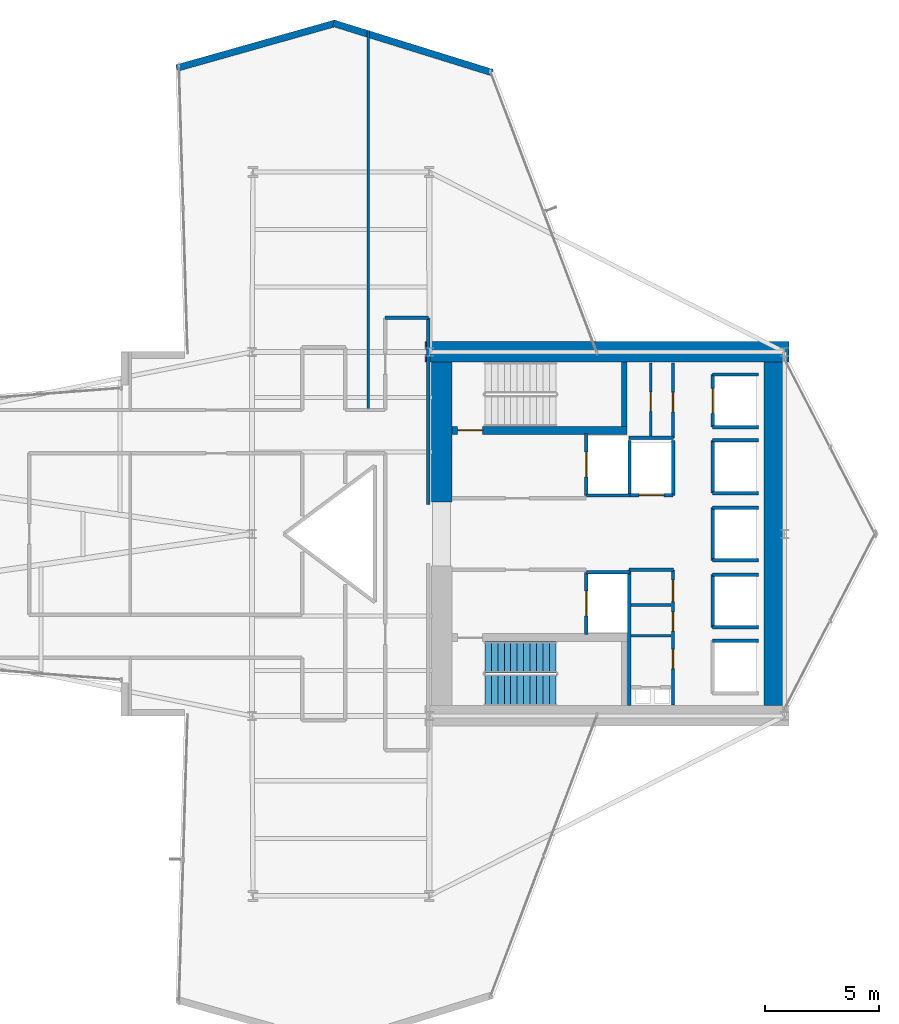
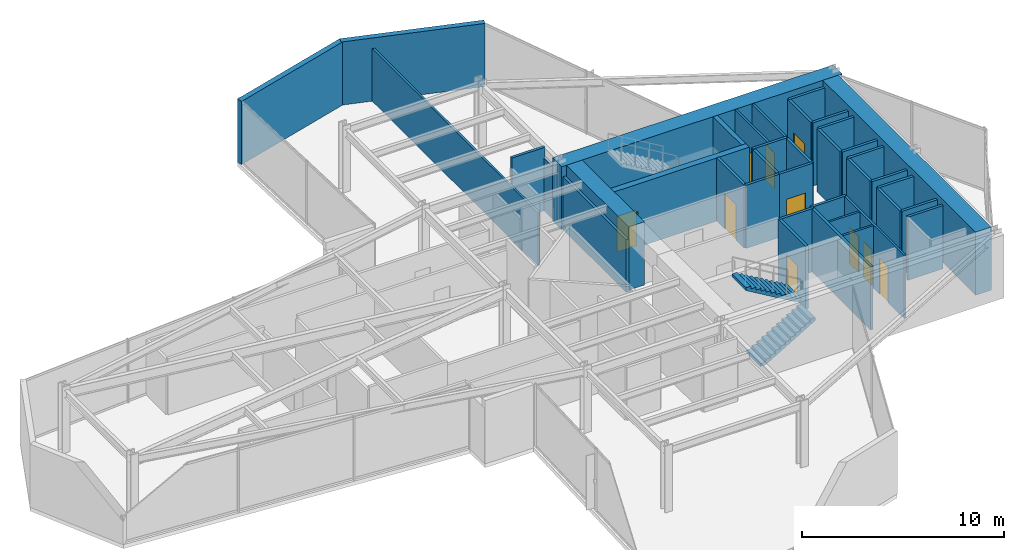
# One storey, part 27 of 29: 38 walls, 10 doors, 2 stair flights, 10 openings, 1 element without a shape of its own.
"""IFC4 building model written with IfcOpenShell, lengths in metres."""

from ifc_helpers import new_model, si_unit, direction, frame, frame_2d, origin, place, context, subcontext, project, spatial, polyline, rectangle, outline, extrude, material, layer, layer_set, type_object, element, fill, aggregate, save


model = new_model("IFC4")

# Units and contexts
model_context = context("Model", 3, precision=1e-05, world=origin(), true_north=direction((0.0, 1.0)))
body_context = subcontext(model_context, "Body", "Model", "MODEL_VIEW")
ifc_project = project(units=[si_unit("LENGTHUNIT", "METRE"), si_unit("AREAUNIT", "SQUARE_METRE"), si_unit("VOLUMEUNIT", "CUBIC_METRE"), si_unit("PLANEANGLEUNIT", "RADIAN"), si_unit("MASSUNIT", "GRAM", prefix="KILO")], contexts=[model_context])

# Site, building, storey
site_placement = place(None, origin())
site = spatial("IfcSite", under=ifc_project, at=site_placement, CompositionType="ELEMENT")
building_placement = place(site_placement, origin())
building = spatial("IfcBuilding", under=site, at=building_placement, Name="Veymaron Broadcast Tower", CompositionType="ELEMENT")
storey_placement = place(building_placement, frame((0.0, 0.0, 41.85009765625)))
storey = spatial("IfcBuildingStorey", under=building, at=storey_placement, Name="L08", CompositionType="ELEMENT", Elevation=41.85009765625)

# Walls
ifc_material_1 = material(Name="Precast concrete C40/50 with mineral-wool insulation", Category="concrete")
ifc_layer_1 = layer(ifc_material_1, 0.300048828125)
ifc_layer_set_1 = layer_set([ifc_layer_1], Name="Precast concrete C40/50 with mineral-wool insulation")
wall_type_1 = type_object("IfcWallType", Name="WALL-EXT-300", PredefinedType="STANDARD", material=ifc_layer_set_1)
wall_1_placement = place(storey_placement, frame((41.753173828125, 44.2802734375, 0.0), z_axis=(0.0, 0.0, 1.0), x_axis=(-0.954957033511, 0.296744105498, 0.0)))
element("IfcWall", 1, at=wall_1_placement, inside=storey, type_object=wall_type_1, Name="L08 notched corner facade pier 6-1", PredefinedType="STANDARD", context=body_context, shape_type="SweptSolid", body=[
    extrude(rectangle(XDim=7.302490234375, YDim=0.300048828125, at=frame_2d((3.6513671875, 0.0))), origin(), (0.0, 0.0, 1.0), 3.809814453125),
])
wall_2_placement = place(storey_placement, frame((34.859130859375, 46.4462890625, 0.0), z_axis=(0.0, 0.0, 1.0), x_axis=(-0.962339681863, -0.271849842212, 0.0)))
element("IfcWall", 2, at=wall_2_placement, inside=storey, type_object=wall_type_1, Name="L08 notched corner facade pier 7-1", PredefinedType="STANDARD", context=body_context, shape_type="SweptSolid", body=[
    extrude(rectangle(XDim=7.24658203125, YDim=0.300048828125, at=frame_2d((3.623291015625, 0.0))), origin(), (0.0, 0.0, 1.0), 3.809814453125),
])

# Wall, opening, door
ifc_material_2 = material(Name="Gypsum fireboard and steel stud framing", Category="steel")
ifc_layer_2 = layer(ifc_material_2, 0.14990234375)
ifc_layer_set_2 = layer_set([ifc_layer_2], Name="Gypsum fireboard and steel stud framing")
wall_type_2 = type_object("IfcWallType", Name="WALL-FIRE-150", PredefinedType="PARTITIONING", material=ifc_layer_set_2)
wall_3_placement = place(storey_placement, frame((45.89501953125, 25.68994140625, 0.0), z_axis=(0.0, 0.0, 1.0), x_axis=(0.0, 1.0, 0.0)))
wall_3 = element("IfcWall", 3, at=wall_3_placement, inside=storey, type_object=wall_type_2, Name="L08 partition IW-L08-SHW-FFL-1", PredefinedType="PARTITIONING", context=body_context, shape_type="SweptSolid", body=[
    extrude(rectangle(XDim=2.719970703125, YDim=0.14990234375, at=frame_2d((1.35986328125, 0.0))), origin(), (0.0, 0.0, 1.0), 3.809814453125),
])
opening_1_placement = place(wall_3_placement, frame((0.81005859375, 0.0, 0.0)))
opening_1 = element("IfcOpeningElement", 4, at=opening_1_placement, cuts=wall_3, Name="Opening LD", PredefinedType="OPENING", context=body_context, shape_type="SweptSolid", body=[
    extrude(rectangle(XDim=1.10009765625, YDim=2.14990234375, at=frame_2d((0.550048828125, 1.074951171875))), frame((0.0, 0.0849609375, 0.0), z_axis=(0.0, -1.0, 0.0), x_axis=(1.0, 0.0, 0.0)), (0.0, 0.0, 1.0), 0.169921875),
])
ifc_material_3 = material(Name="Brushed stainless steel AISI 304", Category="steel")
door_type_1 = type_object("IfcDoorType", Name="DOOR-LIFT-1100", OperationType="DOUBLE_DOOR_SLIDING", PredefinedType="DOOR", material=ifc_material_3)
door_1_placement = place(opening_1_placement, frame((1.10009765625, 0.0, 0.0), z_axis=(0.0, 0.0, 1.0), x_axis=(-1.0, 0.0, 0.0)))
door_1 = element("IfcDoor", 5, at=door_1_placement, inside=storey, type_object=door_type_1, Name="L08 door LD-L08-FFL-1", OperationType="DOUBLE_DOOR_SLIDING", OverallHeight=2.14990234375, OverallWidth=1.10009765625, PredefinedType="DOOR", context=body_context, shape_type="SweptSolid", body=[
    extrude(rectangle(XDim=1.10009765625, YDim=2.14990234375, at=frame_2d((0.550048828125, 1.074951171875))), frame((0.0, 0.02490234375, 0.0), z_axis=(0.0, -1.0, 0.0), x_axis=(1.0, 0.0, 0.0)), (0.0, 0.0, 1.0), 0.050048828125),
])
fill(opening_1, door_1)

# Wall
wall_4_placement = place(storey_placement, frame((45.89501953125, 25.68994140625, 0.0), z_axis=(0.0, 0.0, 1.0), x_axis=(1.0, 0.0, 0.0)))
element("IfcWall", 6, at=wall_4_placement, inside=storey, type_object=wall_type_2, Name="L08 partition IW-L08-SHS-FFL-1", PredefinedType="PARTITIONING", context=body_context, shape_type="SweptSolid", body=[
    extrude(rectangle(XDim=1.9150390625, YDim=0.14990234375, at=frame_2d((0.95751953125, 0.0))), origin(), (0.0, 0.0, 1.0), 3.809814453125),
])

# Wall, opening, door
wall_5_placement = place(storey_placement, frame((45.89501953125, 19.590087890625, 0.0), z_axis=(0.0, 0.0, 1.0), x_axis=(0.0, 1.0, 0.0)))
wall_5 = element("IfcWall", 7, at=wall_5_placement, inside=storey, type_object=wall_type_2, Name="L08 partition IW-L08-SHW-FFL-2", PredefinedType="PARTITIONING", context=body_context, shape_type="SweptSolid", body=[
    extrude(rectangle(XDim=2.719970703125, YDim=0.14990234375, at=frame_2d((1.35986328125, 0.0))), origin(), (0.0, 0.0, 1.0), 3.809814453125),
])
opening_2_placement = place(wall_5_placement, frame((0.81005859375, 0.0, 0.0)))
opening_2 = element("IfcOpeningElement", 8, at=opening_2_placement, cuts=wall_5, Name="Opening LD", PredefinedType="OPENING", context=body_context, shape_type="SweptSolid", body=[
    extrude(rectangle(XDim=1.10009765625, YDim=2.14990234375, at=frame_2d((0.550048828125, 1.074951171875))), frame((0.0, 0.0849609375, 0.0), z_axis=(0.0, -1.0, 0.0), x_axis=(1.0, 0.0, 0.0)), (0.0, 0.0, 1.0), 0.169921875),
])
door_2_placement = place(opening_2_placement, frame((1.10009765625, 0.0, 0.0), z_axis=(0.0, 0.0, 1.0), x_axis=(-1.0, 0.0, 0.0)))
door_2 = element("IfcDoor", 9, at=door_2_placement, inside=storey, type_object=door_type_1, Name="L08 door LD-L08-FFL-2", OperationType="DOUBLE_DOOR_SLIDING", OverallHeight=2.14990234375, OverallWidth=1.10009765625, PredefinedType="DOOR", context=body_context, shape_type="SweptSolid", body=[
    extrude(rectangle(XDim=1.10009765625, YDim=2.14990234375, at=frame_2d((0.550048828125, 1.074951171875))), frame((0.0, 0.02490234375, 0.0), z_axis=(0.0, -1.0, 0.0), x_axis=(1.0, 0.0, 0.0)), (0.0, 0.0, 1.0), 0.050048828125),
])
fill(opening_2, door_2)

# Wall
wall_6_placement = place(storey_placement, frame((45.89501953125, 22.31005859375, 0.0), z_axis=(0.0, 0.0, 1.0), x_axis=(1.0, 0.0, 0.0)))
element("IfcWall", 10, at=wall_6_placement, inside=storey, type_object=wall_type_2, Name="L08 partition IW-L08-SHN-FFL-2", PredefinedType="PARTITIONING", context=body_context, shape_type="SweptSolid", body=[
    extrude(rectangle(XDim=1.9150390625, YDim=0.14990234375, at=frame_2d((0.95751953125, 0.0))), origin(), (0.0, 0.0, 1.0), 3.809814453125),
])

# Wall, opening, door
wall_7_placement = place(storey_placement, frame((47.7900390625, 25.695068359375, 0.0), z_axis=(0.0, 0.0, 1.0), x_axis=(1.0, 0.0, 0.0)))
wall_7 = element("IfcWall", 11, at=wall_7_placement, inside=storey, type_object=wall_type_2, Name="L08 partition IW-L08-SHS-SL-1", PredefinedType="PARTITIONING", context=body_context, shape_type="SweptSolid", body=[
    extrude(rectangle(XDim=1.919921875, YDim=0.14990234375, at=frame_2d((0.9599609375, 0.0))), origin(), (0.0, 0.0, 1.0), 3.809814453125),
])
opening_3_placement = place(wall_7_placement, frame((0.409912109375, 0.0, 0.0)))
opening_3 = element("IfcOpeningElement", 12, at=opening_3_placement, cuts=wall_7, Name="Opening LD", PredefinedType="OPENING", context=body_context, shape_type="SweptSolid", body=[
    extrude(rectangle(XDim=1.10009765625, YDim=2.14990234375, at=frame_2d((0.550048828125, 1.074951171875))), frame((0.0, 0.0849609375, 0.0), z_axis=(0.0, -1.0, 0.0), x_axis=(1.0, 0.0, 0.0)), (0.0, 0.0, 1.0), 0.169921875),
])
door_3_placement = place(opening_3_placement, frame((1.10009765625, 0.0, 0.0), z_axis=(0.0, 0.0, 1.0), x_axis=(-1.0, 0.0, 0.0)))
door_3 = element("IfcDoor", 13, at=door_3_placement, inside=storey, type_object=door_type_1, Name="L08 door LD-L08-SL-1", OperationType="DOUBLE_DOOR_SLIDING", OverallHeight=2.14990234375, OverallWidth=1.10009765625, PredefinedType="DOOR", context=body_context, shape_type="SweptSolid", body=[
    extrude(rectangle(XDim=1.10009765625, YDim=2.14990234375, at=frame_2d((0.550048828125, 1.074951171875))), frame((0.0, 0.02490234375, 0.0), z_axis=(0.0, -1.0, 0.0), x_axis=(1.0, 0.0, 0.0)), (0.0, 0.0, 1.0), 0.050048828125),
])
fill(opening_3, door_3)

# Walls
for number, where, z_axis, x_axis, name in (
    (14, (47.7900390625, 25.695068359375, 0.0), (0.0, 0.0, 1.0), (0.0, 1.0, 0.0), "L08 partition IW-L08-SHW-SL-1"),
    (15, (49.7099609375, 25.695068359375, 0.0), (0.0, 0.0, 1.0), (0.0, 1.0, 0.0), "L08 partition IW-L08-SHE-SL-1"),
):
    element("IfcWall", number, at=place(storey_placement, frame(where, z_axis=z_axis, x_axis=x_axis)), inside=storey, type_object=wall_type_2, Name=name, PredefinedType="PARTITIONING", context=body_context, shape_type="SweptSolid", body=[
        extrude(rectangle(XDim=2.4150390625, YDim=0.14990234375, at=frame_2d((1.20751953125, 0.0))), origin(), (0.0, 0.0, 1.0), 3.809814453125),
    ])

# Wall, opening, door
wall_8_placement = place(storey_placement, frame((51.445068359375, 28.68994140625, 0.0), z_axis=(0.0, 0.0, 1.0), x_axis=(0.0, 1.0, 0.0)))
wall_8 = element("IfcWall", 16, at=wall_8_placement, inside=storey, type_object=wall_type_2, Name="L08 partition IW-L08-SHW-PL1", PredefinedType="PARTITIONING", context=body_context, shape_type="SweptSolid", body=[
    extrude(rectangle(XDim=2.320068359375, YDim=0.14990234375, at=frame_2d((1.16015625, 0.0))), origin(), (0.0, 0.0, 1.0), 3.809814453125),
])
opening_4_placement = place(wall_8_placement, frame((0.610107421875, 0.0, 0.0)))
opening_4 = element("IfcOpeningElement", 17, at=opening_4_placement, cuts=wall_8, Name="Opening LD", PredefinedType="OPENING", context=body_context, shape_type="SweptSolid", body=[
    extrude(rectangle(XDim=1.10009765625, YDim=2.14990234375, at=frame_2d((0.550048828125, 1.074951171875))), frame((0.0, 0.0849609375, 0.0), z_axis=(0.0, -1.0, 0.0), x_axis=(1.0, 0.0, 0.0)), (0.0, 0.0, 1.0), 0.169921875),
])
door_4_placement = place(opening_4_placement, frame((1.10009765625, 0.0, 0.0), z_axis=(0.0, 0.0, 1.0), x_axis=(-1.0, 0.0, 0.0)))
door_4 = element("IfcDoor", 18, at=door_4_placement, inside=storey, type_object=door_type_1, Name="L08 door LD-L08-PL1", OperationType="DOUBLE_DOOR_SLIDING", OverallHeight=2.14990234375, OverallWidth=1.10009765625, PredefinedType="DOOR", context=body_context, shape_type="SweptSolid", body=[
    extrude(rectangle(XDim=1.10009765625, YDim=2.14990234375, at=frame_2d((0.550048828125, 1.074951171875))), frame((0.0, 0.02490234375, 0.0), z_axis=(0.0, -1.0, 0.0), x_axis=(1.0, 0.0, 0.0)), (0.0, 0.0, 1.0), 0.050048828125),
])
fill(opening_4, door_4)

# Walls
for number, where, z_axis, x_axis, name in (
    (19, (51.445068359375, 28.68994140625, 0.0), (0.0, 0.0, 1.0), (1.0, 0.0, 0.0), "L08 partition IW-L08-SHS-PL1"),
    (20, (51.445068359375, 31.010009765625, 0.0), (0.0, 0.0, 1.0), (1.0, 0.0, 0.0), "L08 partition IW-L08-SHN-PL1"),
):
    element("IfcWall", number, at=place(storey_placement, frame(where, z_axis=z_axis, x_axis=x_axis)), inside=storey, type_object=wall_type_2, Name=name, PredefinedType="PARTITIONING", context=body_context, shape_type="SweptSolid", body=[
        extrude(rectangle(XDim=2.014892578125, YDim=0.14990234375, at=frame_2d((1.00732421875, 0.0))), origin(), (0.0, 0.0, 1.0), 3.809814453125),
    ])
wall_9_placement = place(storey_placement, frame((51.445068359375, 25.7900390625, 0.0), z_axis=(0.0, 0.0, 1.0), x_axis=(0.0, 1.0, 0.0)))
element("IfcWall", 21, at=wall_9_placement, inside=storey, type_object=wall_type_2, Name="L08 partition IW-L08-SHW-PM1", PredefinedType="PARTITIONING", context=body_context, shape_type="SweptSolid", body=[
    extrude(rectangle(XDim=2.320068359375, YDim=0.14990234375, at=frame_2d((1.16015625, 0.0))), origin(), (0.0, 0.0, 1.0), 3.809814453125),
])
for number, where, z_axis, x_axis, name in (
    (22, (51.445068359375, 25.7900390625, 0.0), (0.0, 0.0, 1.0), (1.0, 0.0, 0.0), "L08 partition IW-L08-SHS-PM1"),
    (23, (51.445068359375, 28.110107421875, 0.0), (0.0, 0.0, 1.0), (1.0, 0.0, 0.0), "L08 partition IW-L08-SHN-PM1"),
):
    element("IfcWall", number, at=place(storey_placement, frame(where, z_axis=z_axis, x_axis=x_axis)), inside=storey, type_object=wall_type_2, Name=name, PredefinedType="PARTITIONING", context=body_context, shape_type="SweptSolid", body=[
        extrude(rectangle(XDim=2.014892578125, YDim=0.14990234375, at=frame_2d((1.00732421875, 0.0))), origin(), (0.0, 0.0, 1.0), 3.809814453125),
    ])
wall_10_placement = place(storey_placement, frame((51.445068359375, 19.889892578125, 0.0), z_axis=(0.0, 0.0, 1.0), x_axis=(0.0, 1.0, 0.0)))
element("IfcWall", 24, at=wall_10_placement, inside=storey, type_object=wall_type_2, Name="L08 partition IW-L08-SHW-PM2", PredefinedType="PARTITIONING", context=body_context, shape_type="SweptSolid", body=[
    extrude(rectangle(XDim=2.320068359375, YDim=0.14990234375, at=frame_2d((1.16015625, 0.0))), origin(), (0.0, 0.0, 1.0), 3.809814453125),
])
for number, where, z_axis, x_axis, name in (
    (25, (51.445068359375, 19.889892578125, 0.0), (0.0, 0.0, 1.0), (1.0, 0.0, 0.0), "L08 partition IW-L08-SHS-PM2"),
    (26, (51.445068359375, 22.2099609375, 0.0), (0.0, 0.0, 1.0), (1.0, 0.0, 0.0), "L08 partition IW-L08-SHN-PM2"),
):
    element("IfcWall", number, at=place(storey_placement, frame(where, z_axis=z_axis, x_axis=x_axis)), inside=storey, type_object=wall_type_2, Name=name, PredefinedType="PARTITIONING", context=body_context, shape_type="SweptSolid", body=[
        extrude(rectangle(XDim=2.014892578125, YDim=0.14990234375, at=frame_2d((1.00732421875, 0.0))), origin(), (0.0, 0.0, 1.0), 3.809814453125),
    ])
wall_11_placement = place(storey_placement, frame((51.445068359375, 22.840087890625, 0.0), z_axis=(0.0, 0.0, 1.0), x_axis=(0.0, 1.0, 0.0)))
element("IfcWall", 27, at=wall_11_placement, inside=storey, type_object=wall_type_2, Name="L08 partition IW-L08-SHW-PM3", PredefinedType="PARTITIONING", context=body_context, shape_type="SweptSolid", body=[
    extrude(rectangle(XDim=2.31982421875, YDim=0.14990234375, at=frame_2d((1.159912109375, 0.0))), origin(), (0.0, 0.0, 1.0), 3.809814453125),
])
for number, where, z_axis, x_axis, name in (
    (28, (51.445068359375, 22.840087890625, 0.0), (0.0, 0.0, 1.0), (1.0, 0.0, 0.0), "L08 partition IW-L08-SHS-PM3"),
    (29, (51.445068359375, 25.159912109375, 0.0), (0.0, 0.0, 1.0), (1.0, 0.0, 0.0), "L08 partition IW-L08-SHN-PM3"),
    (30, (51.445068359375, 19.31005859375, 0.0), (0.0, 0.0, 1.0), (1.0, 0.0, 0.0), "L08 partition IW-L08-SHN-PH1"),
):
    element("IfcWall", number, at=place(storey_placement, frame(where, z_axis=z_axis, x_axis=x_axis)), inside=storey, type_object=wall_type_2, Name=name, PredefinedType="PARTITIONING", context=body_context, shape_type="SweptSolid", body=[
        extrude(rectangle(XDim=2.014892578125, YDim=0.14990234375, at=frame_2d((1.00732421875, 0.0))), origin(), (0.0, 0.0, 1.0), 3.809814453125),
    ])
wall_12_placement = place(storey_placement, frame((47.760009765625, 22.425048828125, 0.0), z_axis=(0.0, 0.0, 1.0), x_axis=(1.0, 0.0, 0.0)))
element("IfcWall", 31, at=wall_12_placement, inside=storey, type_object=wall_type_2, Name="L08 partition IW-L08-SM-N", PredefinedType="PARTITIONING", context=body_context, shape_type="SweptSolid", body=[
    extrude(rectangle(XDim=1.9599609375, YDim=0.14990234375, at=frame_2d((0.97998046875, 0.0))), origin(), (0.0, 0.0, 1.0), 3.809814453125),
])
wall_13_placement = place(storey_placement, frame((47.780029296875, 16.449951171875, 0.0), z_axis=(0.0, 0.0, 1.0), x_axis=(0.0, 1.0, 0.0)))
element("IfcWall", 32, at=wall_13_placement, inside=storey, type_object=wall_type_2, Name="L08 partition IW-L08-SM-W", PredefinedType="PARTITIONING", context=body_context, shape_type="SweptSolid", body=[
    extrude(rectangle(XDim=5.97509765625, YDim=0.14990234375, at=frame_2d((2.987548828125, 0.0))), origin(), (0.0, 0.0, 1.0), 3.809814453125),
])
wall_14_placement = place(storey_placement, frame((47.760009765625, 28.219970703125, 0.0), z_axis=(0.0, 0.0, 1.0), x_axis=(1.0, 0.0, 0.0)))
element("IfcWall", 33, at=wall_14_placement, inside=storey, type_object=wall_type_2, Name="L08 partition IW-L08-NM-S", PredefinedType="PARTITIONING", context=body_context, shape_type="SweptSolid", body=[
    extrude(rectangle(XDim=1.9599609375, YDim=0.14990234375, at=frame_2d((0.97998046875, 0.0))), origin(), (0.0, 0.0, 1.0), 3.809814453125),
])
wall_15_placement = place(storey_placement, frame((38.949951171875, 25.300048828125, 0.0), z_axis=(0.0, 0.0, 1.0), x_axis=(0.0, 1.0, 0.0)))
element("IfcWall", 34, at=wall_15_placement, inside=storey, type_object=wall_type_2, Name="L08 partition IW-L08-P29", PredefinedType="PARTITIONING", context=body_context, shape_type="SweptSolid", body=[
    extrude(rectangle(XDim=8.199951171875, YDim=0.14990234375, at=frame_2d((4.10009765625, 0.0))), origin(), (0.0, 0.0, 1.0), 3.180908203125),
])
wall_16_placement = place(storey_placement, frame((37.050048828125, 33.5, 0.0), z_axis=(0.0, 0.0, 1.0), x_axis=(1.0, 0.0, 0.0)))
element("IfcWall", 35, at=wall_16_placement, inside=storey, type_object=wall_type_2, Name="L08 partition IW-L08-P31", PredefinedType="PARTITIONING", context=body_context, shape_type="SweptSolid", body=[
    extrude(rectangle(XDim=1.89990234375, YDim=0.14990234375, at=frame_2d((0.949951171875, 0.0))), origin(), (0.0, 0.0, 1.0), 3.809814453125),
])
ifc_material_4 = material(Name="Acoustic gypsum board and galvanized stud", Category="gypsum")
ifc_layer_3 = layer(ifc_material_4, 0.1201171875)
ifc_layer_set_3 = layer_set([ifc_layer_3], Name="Acoustic gypsum board and galvanized stud")
wall_type_3 = type_object("IfcWallType", Name="WALL-PART-120", PredefinedType="PARTITIONING", material=ifc_layer_set_3)
for number, where, z_axis, x_axis, name in (
    (36, (47.860107421875, 19.52001953125, 0.0), (0.0, 0.0, 1.0), (1.0, 0.0, 0.0), "L08 partition IW-L08-SM-D1"),
    (37, (47.860107421875, 20.8798828125, 0.0), (0.0, 0.0, 1.0), (1.0, 0.0, 0.0), "L08 partition IW-L08-SM-D2"),
):
    element("IfcWall", number, at=place(storey_placement, frame(where, z_axis=z_axis, x_axis=x_axis)), inside=storey, type_object=wall_type_3, Name=name, PredefinedType="PARTITIONING", context=body_context, shape_type="SweptSolid", body=[
        extrude(rectangle(XDim=1.760009765625, YDim=0.1201171875, at=frame_2d((0.8798828125, 0.0))), origin(), (0.0, 0.0, 1.0), 3.809814453125),
    ])

# Wall, openings, doors
wall_17_placement = place(storey_placement, frame((49.699951171875, 16.47998046875, 0.0), z_axis=(0.0, 0.0, 1.0), x_axis=(0.0, 1.0, 0.0)))
wall_17 = element("IfcWall", 38, at=wall_17_placement, inside=storey, type_object=wall_type_3, Name="L08 partition IW-L08-SM-E", PredefinedType="PARTITIONING", context=body_context, shape_type="SweptSolid", body=[
    extrude(rectangle(XDim=5.945068359375, YDim=0.1201171875, at=frame_2d((2.97265625, 0.0))), origin(), (0.0, 0.0, 1.0), 3.809814453125),
])
opening_5_placement = place(wall_17_placement, frame((1.60009765625, 0.0, 0.0)))
opening_5 = element("IfcOpeningElement", 39, at=opening_5_placement, cuts=wall_17, Name="Opening ID-WC1", PredefinedType="OPENING", context=body_context, shape_type="SweptSolid", body=[
    extrude(rectangle(XDim=0.85009765625, YDim=2.14990234375, at=frame_2d((0.425048828125, 1.074951171875))), frame((0.0, 0.070068359375, 0.0), z_axis=(0.0, -1.0, 0.0), x_axis=(1.0, 0.0, 0.0)), (0.0, 0.0, 1.0), 0.14013671875),
])
opening_6_placement = place(wall_17_placement, frame((3.25, 0.0, 0.0)))
opening_6 = element("IfcOpeningElement", 40, at=opening_6_placement, cuts=wall_17, Name="Opening ID-WC1", PredefinedType="OPENING", context=body_context, shape_type="SweptSolid", body=[
    extrude(rectangle(XDim=0.85009765625, YDim=2.14990234375, at=frame_2d((0.425048828125, 1.074951171875))), frame((0.0, 0.070068359375, 0.0), z_axis=(0.0, -1.0, 0.0), x_axis=(1.0, 0.0, 0.0)), (0.0, 0.0, 1.0), 0.14013671875),
])
opening_7_placement = place(wall_17_placement, frame((4.550048828125, 0.0, 0.0)))
opening_7 = element("IfcOpeningElement", 41, at=opening_7_placement, cuts=wall_17, Name="Opening ID-RM1", PredefinedType="OPENING", context=body_context, shape_type="SweptSolid", body=[
    extrude(rectangle(XDim=0.949951171875, YDim=2.14990234375, at=frame_2d((0.47509765625, 1.074951171875))), frame((0.0, 0.070068359375, 0.0), z_axis=(0.0, -1.0, 0.0), x_axis=(1.0, 0.0, 0.0)), (0.0, 0.0, 1.0), 0.14013671875),
])
ifc_material_5 = material(Name="Moisture-resistant high-pressure laminate timber", Category="wood")
door_type_2 = type_object("IfcDoorType", Name="DOOR-INT-850", OperationType="NOTDEFINED", PredefinedType="DOOR", material=ifc_material_5)
door_5_placement = place(opening_5_placement, frame((0.85009765625, 0.0, 0.0), z_axis=(0.0, 0.0, 1.0), x_axis=(-1.0, 0.0, 0.0)))
door_5 = element("IfcDoor", 42, at=door_5_placement, inside=storey, type_object=door_type_2, Name="L08 door DR-L08-JST", OperationType="SINGLE_SWING_LEFT", OverallHeight=2.14990234375, OverallWidth=0.85009765625, PredefinedType="DOOR", context=body_context, shape_type="SweptSolid", body=[
    extrude(rectangle(XDim=0.85009765625, YDim=2.14990234375, at=frame_2d((0.425048828125, 1.074951171875))), frame((0.0, 0.02490234375, 0.0), z_axis=(0.0, -1.0, 0.0), x_axis=(1.0, 0.0, 0.0)), (0.0, 0.0, 1.0), 0.050048828125),
])
fill(opening_5, door_5)
door_6_placement = place(opening_6_placement, frame((0.85009765625, 0.0, 0.0), z_axis=(0.0, 0.0, 1.0), x_axis=(-1.0, 0.0, 0.0)))
door_6 = element("IfcDoor", 43, at=door_6_placement, inside=storey, type_object=door_type_2, Name="L08 door DR-L08-SWC", OperationType="SINGLE_SWING_RIGHT", OverallHeight=2.14990234375, OverallWidth=0.85009765625, PredefinedType="DOOR", context=body_context, shape_type="SweptSolid", body=[
    extrude(rectangle(XDim=0.85009765625, YDim=2.14990234375, at=frame_2d((0.425048828125, 1.074951171875))), frame((0.0, 0.02490234375, 0.0), z_axis=(0.0, -1.0, 0.0), x_axis=(1.0, 0.0, 0.0)), (0.0, 0.0, 1.0), 0.050048828125),
])
fill(opening_6, door_6)
ifc_material_6 = material(Name="Acoustic solid-core European oak veneer timber", Category="wood")
door_type_3 = type_object("IfcDoorType", Name="DOOR-INT-950", OperationType="NOTDEFINED", PredefinedType="DOOR", material=ifc_material_6)
door_7_placement = place(opening_7_placement, frame((0.949951171875, 0.0, 0.0), z_axis=(0.0, 0.0, 1.0), x_axis=(-1.0, 0.0, 0.0)))
door_7 = element("IfcDoor", 44, at=door_7_placement, inside=storey, type_object=door_type_3, Name="L08 door DR-L08-AWC", OperationType="SINGLE_SWING_LEFT", OverallHeight=2.14990234375, OverallWidth=0.949951171875, PredefinedType="DOOR", context=body_context, shape_type="SweptSolid", body=[
    extrude(rectangle(XDim=0.949951171875, YDim=2.14990234375, at=frame_2d((0.47509765625, 1.074951171875))), frame((0.0, 0.02490234375, 0.0), z_axis=(0.0, -1.0, 0.0), x_axis=(1.0, 0.0, 0.0)), (0.0, 0.0, 1.0), 0.050048828125),
])
fill(opening_7, door_7)

# Wall, opening, door
wall_18_placement = place(storey_placement, frame((48.72998046875, 28.239990234375, 0.0), z_axis=(0.0, 0.0, 1.0), x_axis=(0.0, 1.0, 0.0)))
wall_18 = element("IfcWall", 45, at=wall_18_placement, inside=storey, type_object=wall_type_3, Name="L08 partition IW-L08-NM-VX", PredefinedType="PARTITIONING", context=body_context, shape_type="SweptSolid", body=[
    extrude(rectangle(XDim=3.280029296875, YDim=0.1201171875, at=frame_2d((1.64013671875, 0.0))), origin(), (0.0, 0.0, 1.0), 3.809814453125),
])
opening_8_placement = place(wall_18_placement, frame((1.14990234375, 0.0, 0.0)))
opening_8 = element("IfcOpeningElement", 46, at=opening_8_placement, cuts=wall_18, Name="Opening ID-WC1", PredefinedType="OPENING", context=body_context, shape_type="SweptSolid", body=[
    extrude(rectangle(XDim=0.85009765625, YDim=2.14990234375, at=frame_2d((0.425048828125, 1.074951171875))), frame((0.0, 0.070068359375, 0.0), z_axis=(0.0, -1.0, 0.0), x_axis=(1.0, 0.0, 0.0)), (0.0, 0.0, 1.0), 0.14013671875),
])
door_8_placement = place(opening_8_placement, frame((0.85009765625, 0.0, 0.0), z_axis=(0.0, 0.0, 1.0), x_axis=(-1.0, 0.0, 0.0)))
door_8 = element("IfcDoor", 47, at=door_8_placement, inside=storey, type_object=door_type_2, Name="L08 door DR-L08-NMB", OperationType="SINGLE_SWING_LEFT", OverallHeight=2.14990234375, OverallWidth=0.85009765625, PredefinedType="DOOR", context=body_context, shape_type="SweptSolid", body=[
    extrude(rectangle(XDim=0.85009765625, YDim=2.14990234375, at=frame_2d((0.425048828125, 1.074951171875))), frame((0.0, 0.02490234375, 0.0), z_axis=(0.0, -1.0, 0.0), x_axis=(1.0, 0.0, 0.0)), (0.0, 0.0, 1.0), 0.050048828125),
])
fill(opening_8, door_8)

wall_19_placement = place(storey_placement, frame((49.699951171875, 28.219970703125, 0.0), z_axis=(0.0, 0.0, 1.0), x_axis=(0.0, 1.0, 0.0)))
wall_19 = element("IfcWall", 48, at=wall_19_placement, inside=storey, type_object=wall_type_3, Name="L08 partition IW-L08-NM-E", PredefinedType="PARTITIONING", context=body_context, shape_type="SweptSolid", body=[
    extrude(rectangle(XDim=3.300048828125, YDim=0.1201171875, at=frame_2d((1.64990234375, 0.0))), origin(), (0.0, 0.0, 1.0), 3.809814453125),
])
opening_9_placement = place(wall_19_placement, frame((1.14990234375, 0.0, 0.0)))
opening_9 = element("IfcOpeningElement", 49, at=opening_9_placement, cuts=wall_19, Name="Opening ID-WC1", PredefinedType="OPENING", context=body_context, shape_type="SweptSolid", body=[
    extrude(rectangle(XDim=0.85009765625, YDim=2.14990234375, at=frame_2d((0.425048828125, 1.074951171875))), frame((0.0, 0.070068359375, 0.0), z_axis=(0.0, -1.0, 0.0), x_axis=(1.0, 0.0, 0.0)), (0.0, 0.0, 1.0), 0.14013671875),
])
door_9_placement = place(opening_9_placement, frame((0.85009765625, 0.0, 0.0), z_axis=(0.0, 0.0, 1.0), x_axis=(-1.0, 0.0, 0.0)))
door_9 = element("IfcDoor", 50, at=door_9_placement, inside=storey, type_object=door_type_2, Name="L08 door DR-L08-NMA", OperationType="SINGLE_SWING_RIGHT", OverallHeight=2.14990234375, OverallWidth=0.85009765625, PredefinedType="DOOR", context=body_context, shape_type="SweptSolid", body=[
    extrude(rectangle(XDim=0.85009765625, YDim=2.14990234375, at=frame_2d((0.425048828125, 1.074951171875))), frame((0.0, 0.02490234375, 0.0), z_axis=(0.0, -1.0, 0.0), x_axis=(1.0, 0.0, 0.0)), (0.0, 0.0, 1.0), 0.050048828125),
])
fill(opening_9, door_9)

# Walls
wall_20_placement = place(storey_placement, frame((36.303955078125, 29.449951171875, 0.0), z_axis=(0.0, 0.0, 1.0), x_axis=(0.0, 1.0, 0.0)))
element("IfcWall", 51, at=wall_20_placement, inside=storey, type_object=wall_type_3, Name="L08 partition IW-L08-P36", PredefinedType="PARTITIONING", context=body_context, shape_type="SweptSolid", body=[
    extrude(rectangle(XDim=16.670166015625, YDim=0.1201171875, at=frame_2d((8.3349609375, 0.0))), origin(), (0.0, 0.0, 1.0), 3.180908203125),
])
ifc_material_7 = material(Name="Concrete C50/60", Category="concrete")
ifc_layer_4 = layer(ifc_material_7, 0.25)
ifc_layer_set_4 = layer_set([ifc_layer_4], Name="Concrete C50/60")
wall_type_4 = type_object("IfcWallType", Name="WALL-SHEAR-250", PredefinedType="SHEAR", material=ifc_layer_set_4)
wall_21_placement = place(storey_placement, frame((47.56494140625, 28.72998046875, 0.0), z_axis=(0.0, 0.0, 1.0), x_axis=(0.0, 1.0, 0.0)))
element("IfcWall", 52, at=wall_21_placement, inside=storey, type_object=wall_type_4, Name="L08 Core Wall north stair east shear", PredefinedType="SHEAR", context=body_context, shape_type="SweptSolid", body=[
    extrude(rectangle(XDim=2.820068359375, YDim=0.25, at=frame_2d((1.41015625, 0.0))), origin(), (0.0, 0.0, 1.0), 3.809814453125),
])

# Wall, opening, door
ifc_layer_5 = layer(ifc_material_7, 0.35009765625)
ifc_layer_set_5 = layer_set([ifc_layer_5], Name="Concrete C50/60")
wall_type_5 = type_object("IfcWallType", Name="WALL-SHEAR-350", PredefinedType="SHEAR", material=ifc_layer_set_5)
wall_22_placement = place(storey_placement, frame((39.97998046875, 28.554931640625, 0.0), z_axis=(0.0, 0.0, 1.0), x_axis=(1.0, 0.0, 0.0)))
wall_22 = element("IfcWall", 53, at=wall_22_placement, inside=storey, type_object=wall_type_5, Name="L08 Core Wall north stair spine", PredefinedType="SHEAR", context=body_context, shape_type="SweptSolid", body=[
    extrude(rectangle(XDim=7.7099609375, YDim=0.35009765625, at=frame_2d((3.85498046875, 0.0))), origin(), (0.0, 0.0, 1.0), 3.809814453125),
])
opening_10_placement = place(wall_22_placement, frame((0.25, 0.0, 0.0)))
opening_10 = element("IfcOpeningElement", 54, at=opening_10_placement, cuts=wall_22, Name="Opening ID-ST1", PredefinedType="OPENING", context=body_context, shape_type="SweptSolid", body=[
    extrude(rectangle(XDim=1.10009765625, YDim=2.14990234375, at=frame_2d((0.550048828125, 1.074951171875))), frame((0.0, 0.18505859375, 0.0), z_axis=(0.0, -1.0, 0.0), x_axis=(1.0, 0.0, 0.0)), (0.0, 0.0, 1.0), 0.3701171875),
])
ifc_material_8 = material(Name="Fire-rated painted hollow steel ASTM A653", Category="steel")
door_type_4 = type_object("IfcDoorType", Name="DOOR-STAIR-1100", OperationType="NOTDEFINED", PredefinedType="DOOR", material=ifc_material_8)
door_10_placement = place(opening_10_placement, origin())
door_10 = element("IfcDoor", 55, at=door_10_placement, inside=storey, type_object=door_type_4, Name="L08 exit stair ST1 fire door", OperationType="SINGLE_SWING_LEFT", OverallHeight=2.14990234375, OverallWidth=1.10009765625, PredefinedType="DOOR", context=body_context, shape_type="SweptSolid", body=[
    extrude(rectangle(XDim=1.10009765625, YDim=2.14990234375, at=frame_2d((0.550048828125, 1.074951171875))), frame((0.0, 0.02490234375, 0.0), z_axis=(0.0, -1.0, 0.0), x_axis=(1.0, 0.0, 0.0)), (0.0, 0.0, 1.0), 0.050048828125),
])
fill(opening_10, door_10)

# Walls
ifc_material_9 = material(Name="Concrete C70/85", Category="concrete")
ifc_layer_6 = layer(ifc_material_9, 0.89990234375)
ifc_layer_set_6 = layer_set([ifc_layer_6], Name="Concrete C70/85")
wall_type_6 = type_object("IfcWallType", Name="WALL-SHEAR-900", PredefinedType="SHEAR", material=ifc_layer_set_6)
wall_23_placement = place(storey_placement, frame((38.800048828125, 32.0, 0.0), z_axis=(0.0, 0.0, 1.0), x_axis=(1.0, 0.0, 0.0)))
element("IfcWall", 56, at=wall_23_placement, inside=storey, type_object=wall_type_6, Name="L08 Core Wall north shear", PredefinedType="SHEAR", context=body_context, shape_type="SweptSolid", body=[
    extrude(rectangle(XDim=16.0, YDim=0.89990234375, at=frame_2d((8.0, 0.0))), origin(), (0.0, 0.0, 1.0), 3.809814453125),
])
wall_24_placement = place(storey_placement, frame((39.530029296875, 25.39990234375, 0.0), z_axis=(0.0, 0.0, 1.0), x_axis=(0.0, 1.0, 0.0)))
element("IfcWall", 57, at=wall_24_placement, inside=storey, type_object=wall_type_6, Name="L08 Core Wall west-north shear", PredefinedType="SHEAR", context=body_context, shape_type="SweptSolid", body=[
    extrude(rectangle(XDim=6.150146484375, YDim=0.89990234375, at=frame_2d((3.0751953125, 0.0))), origin(), (0.0, 0.0, 1.0), 3.809814453125),
])
wall_25_placement = place(storey_placement, frame((54.14990234375, 16.449951171875, 0.0), z_axis=(0.0, 0.0, 1.0), x_axis=(0.0, 1.0, 0.0)))
element("IfcWall", 58, at=wall_25_placement, inside=storey, type_object=wall_type_6, Name="L08 Core Wall east shear", PredefinedType="SHEAR", context=body_context, shape_type="SweptSolid", body=[
    extrude(rectangle(XDim=15.10009765625, YDim=0.89990234375, at=frame_2d((7.550048828125, 0.0))), origin(), (0.0, 0.0, 1.0), 3.809814453125),
])

# Stair, stair flights
stair_type = type_object("IfcStairType", Name="STAIR-CORE-2", PredefinedType="HALF_TURN_STAIR", material=ifc_material_7)
stair_placement = place(storey_placement, origin())
stair = element("IfcStair", 59, at=stair_placement, inside=storey, type_object=stair_type, Name="L08 South protected dog-leg exit stair ST2", PredefinedType="HALF_TURN_STAIR")
ifc_material_10 = material(Name="Precast concrete C50/60", Category="concrete")
stair_flight_type = type_object("IfcStairFlightType", Name="FLT-CORE-RC", PredefinedType="STRAIGHT", material=ifc_material_10)
stair_flight_1_placement = place(storey_placement, frame((41.429931640625, 17.139892578125, 0.0), z_axis=(0.0, 0.0, 1.0), x_axis=(1.0, 0.0, 0.0)))
stair_flight_1 = element("IfcStairFlight", 60, at=stair_flight_1_placement, type_object=stair_flight_type, Name="ST2 flight 1", NumberOfRisers=12, NumberOfTreads=11, PredefinedType="STRAIGHT", RiserHeight=0.16875, TreadLength=0.285, context=body_context, shape_type="SweptSolid", body=[
    extrude(outline(polyline([(0.0, 0.0), (0.0, 0.168701171875), (0.284912109375, 0.168701171875), (0.284912109375, 0.33740234375), (0.570068359375, 0.33740234375), (0.570068359375, 0.50634765625), (0.85498046875, 0.50634765625), (0.85498046875, 0.675048828125), (1.139892578125, 0.675048828125), (1.139892578125, 0.84375), (1.425048828125, 0.84375), (1.425048828125, 1.012451171875), (1.7099609375, 1.012451171875), (1.7099609375, 1.18115234375), (1.9951171875, 1.18115234375), (1.9951171875, 1.35009765625), (2.280029296875, 1.35009765625), (2.280029296875, 1.518798828125), (2.56494140625, 1.518798828125), (2.56494140625, 1.6875), (2.85009765625, 1.6875), (2.85009765625, 1.856201171875), (3.135009765625, 1.856201171875), (3.135009765625, 2.02490234375), (3.135009765625, 1.68212890625), (0.294189453125, 0.0), (0.0, 0.0)])), frame((0.0, 0.68994140625, 0.0), z_axis=(0.0, -1.0, 0.0), x_axis=(1.0, 0.0, 0.0)), (0.0, 0.0, 1.0), 1.3798828125),
])
stair_flight_2_placement = place(storey_placement, frame((44.56494140625, 18.580078125, 2.02490234375), z_axis=(0.0, 0.0, 1.0), x_axis=(-1.0, 0.0, 0.0)))
stair_flight_2 = element("IfcStairFlight", 61, at=stair_flight_2_placement, type_object=stair_flight_type, Name="ST2 flight 2", NumberOfRisers=12, NumberOfTreads=11, PredefinedType="STRAIGHT", RiserHeight=0.16875, TreadLength=0.285, context=body_context, shape_type="SweptSolid", body=[
    extrude(outline(polyline([(0.0, 0.0), (0.0, 0.168701171875), (0.284912109375, 0.168701171875), (0.284912109375, 0.33740234375), (0.570068359375, 0.33740234375), (0.570068359375, 0.50634765625), (0.85498046875, 0.50634765625), (0.85498046875, 0.675048828125), (1.139892578125, 0.675048828125), (1.139892578125, 0.84375), (1.425048828125, 0.84375), (1.425048828125, 1.012451171875), (1.7099609375, 1.012451171875), (1.7099609375, 1.18115234375), (1.9951171875, 1.18115234375), (1.9951171875, 1.35009765625), (2.280029296875, 1.35009765625), (2.280029296875, 1.518798828125), (2.56494140625, 1.518798828125), (2.56494140625, 1.6875), (2.85009765625, 1.6875), (2.85009765625, 1.856201171875), (3.135009765625, 1.856201171875), (3.135009765625, 2.02490234375), (3.135009765625, 1.68212890625), (0.294189453125, 0.0), (0.0, 0.0)])), frame((0.0, 0.68994140625, 0.0), z_axis=(0.0, -1.0, 0.0), x_axis=(1.0, 0.0, 0.0)), (0.0, 0.0, 1.0), 1.3798828125),
])
aggregate(stair, [stair_flight_1, stair_flight_2])

save(model, "model.ifc")
